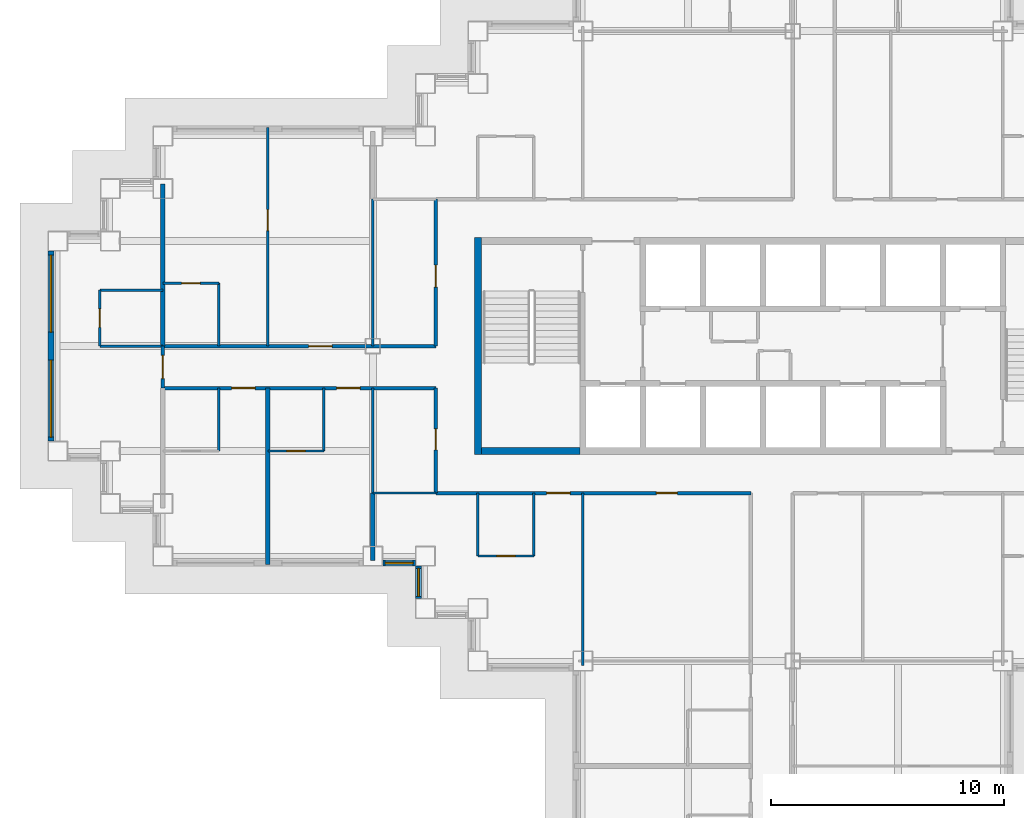
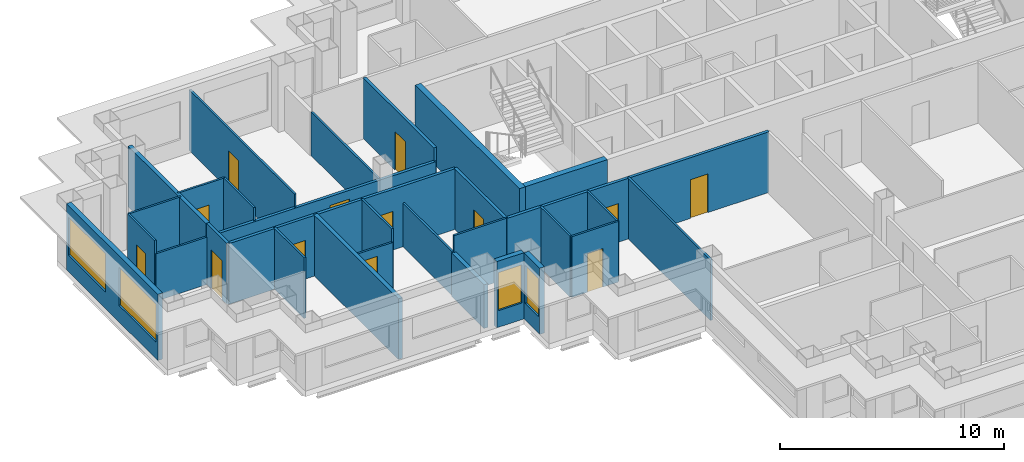
# One storey, part 5 of 16: 30 walls, 13 doors, 4 windows, 17 openings.
"""IFC4 building model written with IfcOpenShell, lengths in metres."""

from ifc_helpers import new_model, si_unit, direction, frame, frame_2d, origin, place, context, subcontext, project, spatial, rectangle, extrude, material, layer, layer_set, type_object, element, fill, save


model = new_model("IFC4")

# Units and contexts
model_context = context("Model", 3, precision=1e-05, world=origin(), true_north=direction((0.0, 1.0)))
body_context = subcontext(model_context, "Body", "Model", "MODEL_VIEW")
ifc_project = project(units=[si_unit("LENGTHUNIT", "METRE"), si_unit("AREAUNIT", "SQUARE_METRE"), si_unit("VOLUMEUNIT", "CUBIC_METRE"), si_unit("PLANEANGLEUNIT", "RADIAN"), si_unit("MASSUNIT", "GRAM", prefix="KILO")], contexts=[model_context])

# Site, building, storey
site_placement = place(None, origin())
site = spatial("IfcSite", under=ifc_project, at=site_placement, CompositionType="ELEMENT")
building_placement = place(site_placement, origin())
building = spatial("IfcBuilding", under=site, at=building_placement, Name="Caravel Reach Hotel and Residences", CompositionType="ELEMENT")
storey_placement = place(building_placement, frame((0.0, 0.0, 133.199951171875)))
storey = spatial("IfcBuildingStorey", under=building, at=storey_placement, Name="L33", CompositionType="ELEMENT", Elevation=133.199951171875)

# Wall, opening, door
ifc_material_1 = material(Name="Gypsum board on steel stud", Category="steel")
ifc_layer_1 = layer(ifc_material_1, 0.10009765625)
ifc_layer_set_1 = layer_set([ifc_layer_1], Name="Bathroom pod wall 100 mm")
wall_type_1 = type_object("IfcWallType", Name="Bathroom pod wall 100 mm", PredefinedType="PARTITIONING", material=ifc_layer_set_1)
wall_1_placement = place(storey_placement, frame((18.0, 18.0, 0.0), z_axis=(0.0, 0.0, 1.0), x_axis=(1.0, 0.0, 0.0)))
wall_1 = element("IfcWall", 1, at=wall_1_placement, inside=storey, type_object=wall_type_1, Name="L33 wall w083", PredefinedType="PARTITIONING", context=body_context, shape_type="SweptSolid", body=[
    extrude(rectangle(XDim=2.39990234375, YDim=0.10009765625, at=frame_2d((1.199951171875, 0.0))), origin(), (0.0, 0.0, 1.0), 3.300048828125),
])
opening_1_placement = place(wall_1_placement, frame((0.800048828125, 0.0, 0.0)))
opening_1 = element("IfcOpeningElement", 2, at=opening_1_placement, cuts=wall_1, Name="Opening D33-053", PredefinedType="OPENING", context=body_context, shape_type="SweptSolid", body=[
    extrude(rectangle(XDim=0.800048828125, YDim=2.10009765625, at=frame_2d((0.39990234375, 1.050048828125))), frame((0.0, 0.06005859375, 0.0), z_axis=(0.0, -1.0, 0.0), x_axis=(1.0, 0.0, 0.0)), (0.0, 0.0, 1.0), 0.1201171875),
])
ifc_material_2 = material(Name="Timber and steel door leaf", Category="steel")
door_type_1 = type_object("IfcDoorType", Name="Bathroom door 800 x 2100", OperationType="SINGLE_SWING_LEFT", PredefinedType="DOOR", material=ifc_material_2)
door_1_placement = place(opening_1_placement, origin())
door_1 = element("IfcDoor", 3, at=door_1_placement, inside=storey, type_object=door_type_1, Name="door D33-053", OperationType="SINGLE_SWING_LEFT", OverallHeight=2.10009765625, OverallWidth=0.800048828125, PredefinedType="DOOR", context=body_context, shape_type="SweptSolid", body=[
    extrude(rectangle(XDim=0.800048828125, YDim=2.10009765625, at=frame_2d((0.39990234375, 1.050048828125))), frame((0.0, 0.02490234375, 0.0), z_axis=(0.0, -1.0, 0.0), x_axis=(1.0, 0.0, 0.0)), (0.0, 0.0, 1.0), 0.050048828125),
])
fill(opening_1, door_1)

wall_2_placement = place(storey_placement, frame((9.0, 22.5, 0.0), z_axis=(0.0, 0.0, 1.0), x_axis=(1.0, 0.0, 0.0)))
wall_2 = element("IfcWall", 4, at=wall_2_placement, inside=storey, type_object=wall_type_1, Name="L33 wall w085", PredefinedType="PARTITIONING", context=body_context, shape_type="SweptSolid", body=[
    extrude(rectangle(XDim=2.39990234375, YDim=0.10009765625, at=frame_2d((1.199951171875, 0.0))), origin(), (0.0, 0.0, 1.0), 2.580078125),
])
opening_2_placement = place(wall_2_placement, frame((0.800048828125, 0.0, 0.0)))
opening_2 = element("IfcOpeningElement", 5, at=opening_2_placement, cuts=wall_2, Name="Opening D33-017", PredefinedType="OPENING", context=body_context, shape_type="SweptSolid", body=[
    extrude(rectangle(XDim=0.800048828125, YDim=2.10009765625, at=frame_2d((0.39990234375, 1.050048828125))), frame((0.0, 0.06005859375, 0.0), z_axis=(0.0, -1.0, 0.0), x_axis=(1.0, 0.0, 0.0)), (0.0, 0.0, 1.0), 0.1201171875),
])
door_2_placement = place(opening_2_placement, origin())
door_2 = element("IfcDoor", 6, at=door_2_placement, inside=storey, type_object=door_type_1, Name="door D33-017", OperationType="SINGLE_SWING_LEFT", OverallHeight=2.10009765625, OverallWidth=0.800048828125, PredefinedType="DOOR", context=body_context, shape_type="SweptSolid", body=[
    extrude(rectangle(XDim=0.800048828125, YDim=2.10009765625, at=frame_2d((0.39990234375, 1.050048828125))), frame((0.0, 0.02490234375, 0.0), z_axis=(0.0, -1.0, 0.0), x_axis=(1.0, 0.0, 0.0)), (0.0, 0.0, 1.0), 0.050048828125),
])
fill(opening_2, door_2)

# Walls
wall_3_placement = place(storey_placement, frame((1.800048828125, 27.0, 0.0), z_axis=(0.0, 0.0, 1.0), x_axis=(1.0, 0.0, 0.0)))
element("IfcWall", 7, at=wall_3_placement, inside=storey, type_object=wall_type_1, Name="L33 wall w088", PredefinedType="PARTITIONING", context=body_context, shape_type="SweptSolid", body=[
    extrude(rectangle(XDim=2.699951171875, YDim=0.10009765625, at=frame_2d((1.35009765625, 0.0))), origin(), (0.0, 0.0, 1.0), 2.580078125),
])
wall_4_placement = place(storey_placement, frame((1.800048828125, 29.39990234375, 0.0), z_axis=(0.0, 0.0, 1.0), x_axis=(1.0, 0.0, 0.0)))
element("IfcWall", 8, at=wall_4_placement, inside=storey, type_object=wall_type_1, Name="L33 wall w089", PredefinedType="PARTITIONING", context=body_context, shape_type="SweptSolid", body=[
    extrude(rectangle(XDim=2.699951171875, YDim=0.10009765625, at=frame_2d((1.35009765625, 0.0))), origin(), (0.0, 0.0, 1.0), 3.300048828125),
])

# Wall, opening, door
wall_5_placement = place(storey_placement, frame((4.5, 29.699951171875, 0.0), z_axis=(0.0, 0.0, 1.0), x_axis=(1.0, 0.0, 0.0)))
wall_5 = element("IfcWall", 9, at=wall_5_placement, inside=storey, type_object=wall_type_1, Name="L33 wall w090", PredefinedType="PARTITIONING", context=body_context, shape_type="SweptSolid", body=[
    extrude(rectangle(XDim=2.39990234375, YDim=0.10009765625, at=frame_2d((1.199951171875, 0.0))), origin(), (0.0, 0.0, 1.0), 3.300048828125),
])
opening_3_placement = place(wall_5_placement, frame((0.800048828125, 0.0, 0.0)))
opening_3 = element("IfcOpeningElement", 10, at=opening_3_placement, cuts=wall_5, Name="Opening D33-022", PredefinedType="OPENING", context=body_context, shape_type="SweptSolid", body=[
    extrude(rectangle(XDim=0.800048828125, YDim=2.10009765625, at=frame_2d((0.39990234375, 1.050048828125))), frame((0.0, 0.06005859375, 0.0), z_axis=(0.0, -1.0, 0.0), x_axis=(1.0, 0.0, 0.0)), (0.0, 0.0, 1.0), 0.1201171875),
])
door_3_placement = place(opening_3_placement, origin())
door_3 = element("IfcDoor", 11, at=door_3_placement, inside=storey, type_object=door_type_1, Name="door D33-022", OperationType="SINGLE_SWING_LEFT", OverallHeight=2.10009765625, OverallWidth=0.800048828125, PredefinedType="DOOR", context=body_context, shape_type="SweptSolid", body=[
    extrude(rectangle(XDim=0.800048828125, YDim=2.10009765625, at=frame_2d((0.39990234375, 1.050048828125))), frame((0.0, 0.02490234375, 0.0), z_axis=(0.0, -1.0, 0.0), x_axis=(1.0, 0.0, 0.0)), (0.0, 0.0, 1.0), 0.050048828125),
])
fill(opening_3, door_3)

wall_6_placement = place(storey_placement, frame((1.800048828125, 27.0, 0.0), z_axis=(0.0, 0.0, 1.0), x_axis=(0.0, 1.0, 0.0)))
wall_6 = element("IfcWall", 12, at=wall_6_placement, inside=storey, type_object=wall_type_1, Name="L33 wall w100", PredefinedType="PARTITIONING", context=body_context, shape_type="SweptSolid", body=[
    extrude(rectangle(XDim=2.39990234375, YDim=0.10009765625, at=frame_2d((1.199951171875, 0.0))), origin(), (0.0, 0.0, 1.0), 3.300048828125),
])
opening_4_placement = place(wall_6_placement, frame((0.800048828125, 0.0, 0.0)))
opening_4 = element("IfcOpeningElement", 13, at=opening_4_placement, cuts=wall_6, Name="Opening D33-043", PredefinedType="OPENING", context=body_context, shape_type="SweptSolid", body=[
    extrude(rectangle(XDim=0.800048828125, YDim=2.10009765625, at=frame_2d((0.39990234375, 1.050048828125))), frame((0.0, 0.06005859375, 0.0), z_axis=(0.0, -1.0, 0.0), x_axis=(1.0, 0.0, 0.0)), (0.0, 0.0, 1.0), 0.1201171875),
])
door_4_placement = place(opening_4_placement, origin())
door_4 = element("IfcDoor", 14, at=door_4_placement, inside=storey, type_object=door_type_1, Name="door D33-043", OperationType="SINGLE_SWING_RIGHT", OverallHeight=2.10009765625, OverallWidth=0.800048828125, PredefinedType="DOOR", context=body_context, shape_type="SweptSolid", body=[
    extrude(rectangle(XDim=0.800048828125, YDim=2.10009765625, at=frame_2d((0.39990234375, 1.050048828125))), frame((0.0, 0.02490234375, 0.0), z_axis=(0.0, -1.0, 0.0), x_axis=(1.0, 0.0, 0.0)), (0.0, 0.0, 1.0), 0.050048828125),
])
fill(opening_4, door_4)

# Walls
for number, where, z_axis, x_axis, name in (
    (15, (11.39990234375, 22.5, 0.0), (0.0, 0.0, 1.0), (0.0, 1.0, 0.0), "L33 wall w101"),
    (16, (18.0, 18.0, 0.0), (0.0, 0.0, 1.0), (0.0, 1.0, 0.0), "L33 wall w103"),
    (17, (20.39990234375, 18.0, 0.0), (0.0, 0.0, 1.0), (0.0, 1.0, 0.0), "L33 wall w105"),
    (18, (6.89990234375, 22.5, 0.0), (0.0, 0.0, 1.0), (0.0, 1.0, 0.0), "L33 wall w119"),
    (19, (6.89990234375, 27.0, 0.0), (0.0, 0.0, 1.0), (0.0, 1.0, 0.0), "L33 wall w120"),
):
    element("IfcWall", number, at=place(storey_placement, frame(where, z_axis=z_axis, x_axis=x_axis)), inside=storey, type_object=wall_type_1, Name=name, PredefinedType="PARTITIONING", context=body_context, shape_type="SweptSolid", body=[
        extrude(rectangle(XDim=2.699951171875, YDim=0.10009765625, at=frame_2d((1.35009765625, 0.0))), origin(), (0.0, 0.0, 1.0), 3.300048828125),
    ])
ifc_material_3 = material(Name="Concrete C60", Category="concrete")
ifc_layer_2 = layer(ifc_material_3, 0.300048828125)
ifc_layer_set_2 = layer_set([ifc_layer_2], Name="Core wall 300 mm EI 120")
wall_type_2 = type_object("IfcWallType", Name="Core wall 300 mm EI 120", PredefinedType="SHEAR", material=ifc_layer_set_2)
wall_7_placement = place(storey_placement, frame((18.14990234375, 22.5, 0.0), z_axis=(0.0, 0.0, 1.0), x_axis=(1.0, 0.0, 0.0)))
element("IfcWall", 20, at=wall_7_placement, inside=storey, type_object=wall_type_2, Name="L33 core wall S1", PredefinedType="SHEAR", context=body_context, shape_type="SweptSolid", body=[
    extrude(rectangle(XDim=4.22509765625, YDim=0.300048828125, at=frame_2d((2.112548828125, 0.0))), origin(), (0.0, 0.0, 1.0), 3.300048828125),
])
wall_8_placement = place(storey_placement, frame((18.0, 22.35009765625, 0.0), z_axis=(0.0, 0.0, 1.0), x_axis=(0.0, 1.0, 0.0)))
element("IfcWall", 21, at=wall_8_placement, inside=storey, type_object=wall_type_2, Name="L33 core wall W", PredefinedType="SHEAR", context=body_context, shape_type="SweptSolid", body=[
    extrude(rectangle(XDim=9.2998046875, YDim=0.300048828125, at=frame_2d((4.64990234375, 0.0))), origin(), (0.0, 0.0, 1.0), 3.300048828125),
])

# Wall, openings, doors
ifc_material_4 = material(Name="Gypsum board on steel stud, fire-rated", Category="steel")
ifc_layer_3 = layer(ifc_material_4, 0.14990234375)
ifc_layer_set_3 = layer_set([ifc_layer_3], Name="Corridor wall 150 mm EI 60")
wall_type_3 = type_object("IfcWallType", Name="Corridor wall 150 mm EI 60", PredefinedType="PARTITIONING", material=ifc_layer_set_3)
wall_9_placement = place(storey_placement, frame((16.199951171875, 20.699951171875, 0.0), z_axis=(0.0, 0.0, 1.0), x_axis=(1.0, 0.0, 0.0)))
wall_9 = element("IfcWall", 22, at=wall_9_placement, inside=storey, type_object=wall_type_3, Name="L33 wall w001", PredefinedType="PARTITIONING", context=body_context, shape_type="SweptSolid", body=[
    extrude(rectangle(XDim=13.5, YDim=0.14990234375, at=frame_2d((6.75, 0.0))), origin(), (0.0, 0.0, 1.0), 3.300048828125),
])
opening_5_placement = place(wall_9_placement, frame((4.75, 0.0, 0.0)))
opening_5 = element("IfcOpeningElement", 23, at=opening_5_placement, cuts=wall_9, Name="Opening D33-052", PredefinedType="OPENING", context=body_context, shape_type="SweptSolid", body=[
    extrude(rectangle(XDim=1.0, YDim=2.10009765625, at=frame_2d((0.5, 1.050048828125))), frame((0.0, 0.0849609375, 0.0), z_axis=(0.0, -1.0, 0.0), x_axis=(1.0, 0.0, 0.0)), (0.0, 0.0, 1.0), 0.169921875),
])
opening_6_placement = place(wall_9_placement, frame((9.449951171875, 0.0, 0.0)))
opening_6 = element("IfcOpeningElement", 24, at=opening_6_placement, cuts=wall_9, Name="Opening D33-060", PredefinedType="OPENING", context=body_context, shape_type="SweptSolid", body=[
    extrude(rectangle(XDim=0.89990234375, YDim=2.10009765625, at=frame_2d((0.449951171875, 1.050048828125))), frame((0.0, 0.0849609375, 0.0), z_axis=(0.0, -1.0, 0.0), x_axis=(1.0, 0.0, 0.0)), (0.0, 0.0, 1.0), 0.169921875),
])
ifc_material_5 = material(Name="Timber and steel door leaf", Category="steel")
door_type_2 = type_object("IfcDoorType", Name="Door 900 x 2100 timber", OperationType="SINGLE_SWING_LEFT", PredefinedType="DOOR", material=ifc_material_5)
door_5_placement = place(opening_6_placement, origin())
door_5 = element("IfcDoor", 25, at=door_5_placement, inside=storey, type_object=door_type_2, Name="door D33-060", OperationType="SINGLE_SWING_LEFT", OverallHeight=2.10009765625, OverallWidth=0.89990234375, PredefinedType="DOOR", context=body_context, shape_type="SweptSolid", body=[
    extrude(rectangle(XDim=0.89990234375, YDim=2.10009765625, at=frame_2d((0.449951171875, 1.050048828125))), frame((0.0, 0.02490234375, 0.0), z_axis=(0.0, -1.0, 0.0), x_axis=(1.0, 0.0, 0.0)), (0.0, 0.0, 1.0), 0.050048828125),
])
fill(opening_6, door_5)
ifc_material_6 = material(Name="Steel fire door leaf", Category="steel")
door_type_3 = type_object("IfcDoorType", Name="Guest room door 1000 x 2100 EI 30", OperationType="SINGLE_SWING_LEFT", PredefinedType="DOOR", material=ifc_material_6)
door_6_placement = place(opening_5_placement, origin())
door_6 = element("IfcDoor", 26, at=door_6_placement, inside=storey, type_object=door_type_3, Name="door D33-052", OperationType="SINGLE_SWING_RIGHT", OverallHeight=2.10009765625, OverallWidth=1.0, PredefinedType="DOOR", context=body_context, shape_type="SweptSolid", body=[
    extrude(rectangle(XDim=1.0, YDim=2.10009765625, at=frame_2d((0.5, 1.050048828125))), frame((0.0, 0.02490234375, 0.0), z_axis=(0.0, -1.0, 0.0), x_axis=(1.0, 0.0, 0.0)), (0.0, 0.0, 1.0), 0.050048828125),
])
fill(opening_5, door_6)

wall_10_placement = place(storey_placement, frame((4.5, 25.199951171875, 0.0), z_axis=(0.0, 0.0, 1.0), x_axis=(1.0, 0.0, 0.0)))
wall_10 = element("IfcWall", 27, at=wall_10_placement, inside=storey, type_object=wall_type_3, Name="L33 wall w008", PredefinedType="PARTITIONING", context=body_context, shape_type="SweptSolid", body=[
    extrude(rectangle(XDim=11.699951171875, YDim=0.14990234375, at=frame_2d((5.85009765625, 0.0))), origin(), (0.0, 0.0, 1.0), 3.300048828125),
])
opening_7_placement = place(wall_10_placement, frame((7.449951171875, 0.0, 0.0)))
opening_7 = element("IfcOpeningElement", 28, at=opening_7_placement, cuts=wall_10, Name="Opening D33-016", PredefinedType="OPENING", context=body_context, shape_type="SweptSolid", body=[
    extrude(rectangle(XDim=1.0, YDim=2.10009765625, at=frame_2d((0.5, 1.050048828125))), frame((0.0, 0.0849609375, 0.0), z_axis=(0.0, -1.0, 0.0), x_axis=(1.0, 0.0, 0.0)), (0.0, 0.0, 1.0), 0.169921875),
])
opening_8_placement = place(wall_10_placement, frame((2.949951171875, 0.0, 0.0)))
opening_8 = element("IfcOpeningElement", 29, at=opening_8_placement, cuts=wall_10, Name="Opening D33-018", PredefinedType="OPENING", context=body_context, shape_type="SweptSolid", body=[
    extrude(rectangle(XDim=1.0, YDim=2.10009765625, at=frame_2d((0.5, 1.050048828125))), frame((0.0, 0.0849609375, 0.0), z_axis=(0.0, -1.0, 0.0), x_axis=(1.0, 0.0, 0.0)), (0.0, 0.0, 1.0), 0.169921875),
])
door_7_placement = place(opening_7_placement, origin())
door_7 = element("IfcDoor", 30, at=door_7_placement, inside=storey, type_object=door_type_3, Name="door D33-016", OperationType="SINGLE_SWING_RIGHT", OverallHeight=2.10009765625, OverallWidth=1.0, PredefinedType="DOOR", context=body_context, shape_type="SweptSolid", body=[
    extrude(rectangle(XDim=1.0, YDim=2.10009765625, at=frame_2d((0.5, 1.050048828125))), frame((0.0, 0.02490234375, 0.0), z_axis=(0.0, -1.0, 0.0), x_axis=(1.0, 0.0, 0.0)), (0.0, 0.0, 1.0), 0.050048828125),
])
fill(opening_7, door_7)
door_8_placement = place(opening_8_placement, origin())
door_8 = element("IfcDoor", 31, at=door_8_placement, inside=storey, type_object=door_type_3, Name="door D33-018", OperationType="SINGLE_SWING_RIGHT", OverallHeight=2.10009765625, OverallWidth=1.0, PredefinedType="DOOR", context=body_context, shape_type="SweptSolid", body=[
    extrude(rectangle(XDim=1.0, YDim=2.10009765625, at=frame_2d((0.5, 1.050048828125))), frame((0.0, 0.02490234375, 0.0), z_axis=(0.0, -1.0, 0.0), x_axis=(1.0, 0.0, 0.0)), (0.0, 0.0, 1.0), 0.050048828125),
])
fill(opening_8, door_8)

# Wall, opening, door
wall_11_placement = place(storey_placement, frame((4.5, 27.0, 0.0), z_axis=(0.0, 0.0, 1.0), x_axis=(1.0, 0.0, 0.0)))
wall_11 = element("IfcWall", 32, at=wall_11_placement, inside=storey, type_object=wall_type_3, Name="L33 wall w013", PredefinedType="PARTITIONING", context=body_context, shape_type="SweptSolid", body=[
    extrude(rectangle(XDim=11.699951171875, YDim=0.14990234375, at=frame_2d((5.85009765625, 0.0))), origin(), (0.0, 0.0, 1.0), 2.580078125),
])
opening_9_placement = place(wall_11_placement, frame((6.25, 0.0, 0.0)))
opening_9 = element("IfcOpeningElement", 33, at=opening_9_placement, cuts=wall_11, Name="Opening D33-020", PredefinedType="OPENING", context=body_context, shape_type="SweptSolid", body=[
    extrude(rectangle(XDim=1.0, YDim=2.10009765625, at=frame_2d((0.5, 1.050048828125))), frame((0.0, 0.0849609375, 0.0), z_axis=(0.0, -1.0, 0.0), x_axis=(1.0, 0.0, 0.0)), (0.0, 0.0, 1.0), 0.169921875),
])
door_9_placement = place(opening_9_placement, origin())
door_9 = element("IfcDoor", 34, at=door_9_placement, inside=storey, type_object=door_type_3, Name="door D33-020", OperationType="SINGLE_SWING_LEFT", OverallHeight=2.10009765625, OverallWidth=1.0, PredefinedType="DOOR", context=body_context, shape_type="SweptSolid", body=[
    extrude(rectangle(XDim=1.0, YDim=2.10009765625, at=frame_2d((0.5, 1.050048828125))), frame((0.0, 0.02490234375, 0.0), z_axis=(0.0, -1.0, 0.0), x_axis=(1.0, 0.0, 0.0)), (0.0, 0.0, 1.0), 0.050048828125),
])
fill(opening_9, door_9)

wall_12_placement = place(storey_placement, frame((16.199951171875, 27.0, 0.0), z_axis=(0.0, 0.0, 1.0), x_axis=(0.0, 1.0, 0.0)))
wall_12 = element("IfcWall", 35, at=wall_12_placement, inside=storey, type_object=wall_type_3, Name="L33 wall w024", PredefinedType="PARTITIONING", context=body_context, shape_type="SweptSolid", body=[
    extrude(rectangle(XDim=6.300048828125, YDim=0.14990234375, at=frame_2d((3.14990234375, 0.0))), origin(), (0.0, 0.0, 1.0), 3.300048828125),
])
opening_10_placement = place(wall_12_placement, frame((2.52490234375, 0.0, 0.0)))
opening_10 = element("IfcOpeningElement", 36, at=opening_10_placement, cuts=wall_12, Name="Opening D33-064", PredefinedType="OPENING", context=body_context, shape_type="SweptSolid", body=[
    extrude(rectangle(XDim=0.949951171875, YDim=2.10009765625, at=frame_2d((0.47509765625, 1.050048828125))), frame((0.0, 0.0849609375, 0.0), z_axis=(0.0, -1.0, 0.0), x_axis=(1.0, 0.0, 0.0)), (0.0, 0.0, 1.0), 0.169921875),
])
ifc_material_7 = material(Name="Timber and steel door leaf", Category="steel")
door_type_4 = type_object("IfcDoorType", Name="Accessible WC door 950 x 2100", OperationType="SINGLE_SWING_LEFT", PredefinedType="DOOR", material=ifc_material_7)
door_10_placement = place(opening_10_placement, origin())
door_10 = element("IfcDoor", 37, at=door_10_placement, inside=storey, type_object=door_type_4, Name="door D33-064", OperationType="SINGLE_SWING_LEFT", OverallHeight=2.10009765625, OverallWidth=0.949951171875, PredefinedType="DOOR", context=body_context, shape_type="SweptSolid", body=[
    extrude(rectangle(XDim=0.949951171875, YDim=2.10009765625, at=frame_2d((0.47509765625, 1.050048828125))), frame((0.0, 0.02490234375, 0.0), z_axis=(0.0, -1.0, 0.0), x_axis=(1.0, 0.0, 0.0)), (0.0, 0.0, 1.0), 0.050048828125),
])
fill(opening_10, door_10)

wall_13_placement = place(storey_placement, frame((16.199951171875, 20.699951171875, 0.0), z_axis=(0.0, 0.0, 1.0), x_axis=(0.0, 1.0, 0.0)))
wall_13 = element("IfcWall", 38, at=wall_13_placement, inside=storey, type_object=wall_type_3, Name="L33 wall w025", PredefinedType="PARTITIONING", context=body_context, shape_type="SweptSolid", body=[
    extrude(rectangle(XDim=4.5, YDim=0.14990234375, at=frame_2d((2.25, 0.0))), origin(), (0.0, 0.0, 1.0), 3.300048828125),
])
opening_11_placement = place(wall_13_placement, frame((1.85009765625, 0.0, 0.0)))
opening_11 = element("IfcOpeningElement", 39, at=opening_11_placement, cuts=wall_13, Name="Opening D33-063", PredefinedType="OPENING", context=body_context, shape_type="SweptSolid", body=[
    extrude(rectangle(XDim=0.89990234375, YDim=2.10009765625, at=frame_2d((0.449951171875, 1.050048828125))), frame((0.0, 0.0849609375, 0.0), z_axis=(0.0, -1.0, 0.0), x_axis=(1.0, 0.0, 0.0)), (0.0, 0.0, 1.0), 0.169921875),
])
door_11_placement = place(opening_11_placement, origin())
door_11 = element("IfcDoor", 40, at=door_11_placement, inside=storey, type_object=door_type_2, Name="door D33-063", OperationType="SINGLE_SWING_RIGHT", OverallHeight=2.10009765625, OverallWidth=0.89990234375, PredefinedType="DOOR", context=body_context, shape_type="SweptSolid", body=[
    extrude(rectangle(XDim=0.89990234375, YDim=2.10009765625, at=frame_2d((0.449951171875, 1.050048828125))), frame((0.0, 0.02490234375, 0.0), z_axis=(0.0, -1.0, 0.0), x_axis=(1.0, 0.0, 0.0)), (0.0, 0.0, 1.0), 0.050048828125),
])
fill(opening_11, door_11)

wall_14_placement = place(storey_placement, frame((4.5, 25.199951171875, 0.0), z_axis=(0.0, 0.0, 1.0), x_axis=(0.0, 1.0, 0.0)))
wall_14 = element("IfcWall", 41, at=wall_14_placement, inside=storey, type_object=wall_type_3, Name="L33 wall w038", PredefinedType="PARTITIONING", context=body_context, shape_type="SweptSolid", body=[
    extrude(rectangle(XDim=1.800048828125, YDim=0.14990234375, at=frame_2d((0.89990234375, 0.0))), origin(), (0.0, 0.0, 1.0), 3.300048828125),
])
opening_12_placement = place(wall_14_placement, frame((0.39990234375, 0.0, 0.0)))
opening_12 = element("IfcOpeningElement", 42, at=opening_12_placement, cuts=wall_14, Name="Opening D33-042", PredefinedType="OPENING", context=body_context, shape_type="SweptSolid", body=[
    extrude(rectangle(XDim=1.0, YDim=2.10009765625, at=frame_2d((0.5, 1.050048828125))), frame((0.0, 0.0849609375, 0.0), z_axis=(0.0, -1.0, 0.0), x_axis=(1.0, 0.0, 0.0)), (0.0, 0.0, 1.0), 0.169921875),
])
door_12_placement = place(opening_12_placement, origin())
door_12 = element("IfcDoor", 43, at=door_12_placement, inside=storey, type_object=door_type_3, Name="door D33-042", OperationType="SINGLE_SWING_LEFT", OverallHeight=2.10009765625, OverallWidth=1.0, PredefinedType="DOOR", context=body_context, shape_type="SweptSolid", body=[
    extrude(rectangle(XDim=1.0, YDim=2.10009765625, at=frame_2d((0.5, 1.050048828125))), frame((0.0, 0.02490234375, 0.0), z_axis=(0.0, -1.0, 0.0), x_axis=(1.0, 0.0, 0.0)), (0.0, 0.0, 1.0), 0.050048828125),
])
fill(opening_12, door_12)

# Wall, openings, windows
ifc_material_8 = material(Name="Insulated rainscreen wall, aluminium cladding", Category="aluminium")
ifc_layer_4 = layer(ifc_material_8, 0.25)
ifc_layer_set_4 = layer_set([ifc_layer_4], Name="EW1 Tower rainscreen wall")
wall_type_4 = type_object("IfcWallType", Name="EW1 Tower rainscreen wall", PredefinedType="SOLIDWALL", material=ifc_layer_set_4)
wall_15_placement = place(storey_placement, frame((-0.300048828125, 31.074951171875, 0.0), z_axis=(0.0, 0.0, 1.0), x_axis=(0.0, -1.0, 0.0)))
wall_15 = element("IfcWall", 44, at=wall_15_placement, inside=storey, type_object=wall_type_4, Name="External wall L33 W50.1", PredefinedType="SOLIDWALL", context=body_context, shape_type="SweptSolid", body=[
    extrude(rectangle(XDim=8.14990234375, YDim=0.25, at=frame_2d((4.074951171875, 0.0))), origin(), (0.0, 0.0, 1.0), 3.60009765625),
])
opening_13_placement = place(wall_15_placement, frame((0.175048828125, 0.0, 0.89990234375)))
opening_13 = element("IfcOpeningElement", 45, at=opening_13_placement, cuts=wall_15, Name="Opening WN4", PredefinedType="OPENING", context=body_context, shape_type="SweptSolid", body=[
    extrude(rectangle(XDim=3.300048828125, YDim=2.080078125, at=frame_2d((1.64990234375, 1.0400390625))), frame((0.0, 0.135009765625, 0.0), z_axis=(0.0, -1.0, 0.0), x_axis=(1.0, 0.0, 0.0)), (0.0, 0.0, 1.0), 0.27001953125),
])
opening_14_placement = place(wall_15_placement, frame((4.675048828125, 0.0, 0.89990234375)))
opening_14 = element("IfcOpeningElement", 46, at=opening_14_placement, cuts=wall_15, Name="Opening WN4", PredefinedType="OPENING", context=body_context, shape_type="SweptSolid", body=[
    extrude(rectangle(XDim=3.300048828125, YDim=2.080078125, at=frame_2d((1.64990234375, 1.0400390625))), frame((0.0, 0.135009765625, 0.0), z_axis=(0.0, -1.0, 0.0), x_axis=(1.0, 0.0, 0.0)), (0.0, 0.0, 1.0), 0.27001953125),
])
ifc_material_9 = material(Name="Dark low-e glazing in black aluminium frame", Category="aluminium")
window_type_1 = type_object("IfcWindowType", Name="Hotel guest room window 3300 x 2080", PartitioningType="SINGLE_PANEL", PredefinedType="WINDOW", material=ifc_material_9)
window_1_placement = place(opening_13_placement, origin())
window_1 = element("IfcWindow", 47, at=window_1_placement, inside=storey, type_object=window_type_1, Name="Window L33 W50.1.1", OverallHeight=2.080078125, OverallWidth=3.300048828125, PartitioningType="SINGLE_PANEL", PredefinedType="WINDOW", context=body_context, shape_type="SweptSolid", body=[
    extrude(rectangle(XDim=3.300048828125, YDim=2.080078125, at=frame_2d((1.64990234375, 1.0400390625))), frame((0.0, 0.030029296875, 0.0), z_axis=(0.0, -1.0, 0.0), x_axis=(1.0, 0.0, 0.0)), (0.0, 0.0, 1.0), 0.06005859375),
])
fill(opening_13, window_1)
window_2_placement = place(opening_14_placement, origin())
window_2 = element("IfcWindow", 48, at=window_2_placement, inside=storey, type_object=window_type_1, Name="Window L33 W50.1.2", OverallHeight=2.080078125, OverallWidth=3.300048828125, PartitioningType="SINGLE_PANEL", PredefinedType="WINDOW", context=body_context, shape_type="SweptSolid", body=[
    extrude(rectangle(XDim=3.300048828125, YDim=2.080078125, at=frame_2d((1.64990234375, 1.0400390625))), frame((0.0, 0.030029296875, 0.0), z_axis=(0.0, -1.0, 0.0), x_axis=(1.0, 0.0, 0.0)), (0.0, 0.0, 1.0), 0.06005859375),
])
fill(opening_14, window_2)

# Wall, opening, window
wall_16_placement = place(storey_placement, frame((13.925048828125, 17.699951171875, 0.0), z_axis=(0.0, 0.0, 1.0), x_axis=(1.0, 0.0, 0.0)))
wall_16 = element("IfcWall", 49, at=wall_16_placement, inside=storey, type_object=wall_type_4, Name="External wall L33 S55.2", PredefinedType="SOLIDWALL", context=body_context, shape_type="SweptSolid", body=[
    extrude(rectangle(XDim=1.39990234375, YDim=0.25, at=frame_2d((0.699951171875, 0.0))), origin(), (0.0, 0.0, 1.0), 3.60009765625),
])
opening_15_placement = place(wall_16_placement, frame((0.10009765625, 0.0, 0.89990234375)))
opening_15 = element("IfcOpeningElement", 50, at=opening_15_placement, cuts=wall_16, Name="Opening WN9", PredefinedType="OPENING", context=body_context, shape_type="SweptSolid", body=[
    extrude(rectangle(XDim=1.199951171875, YDim=2.080078125, at=frame_2d((0.60009765625, 1.0400390625))), frame((0.0, 0.135009765625, 0.0), z_axis=(0.0, -1.0, 0.0), x_axis=(1.0, 0.0, 0.0)), (0.0, 0.0, 1.0), 0.27001953125),
])
ifc_material_10 = material(Name="Dark low-e glazing in black aluminium frame", Category="aluminium")
window_type_2 = type_object("IfcWindowType", Name="Hotel suite corner window 1200 x 2080", PartitioningType="SINGLE_PANEL", PredefinedType="WINDOW", material=ifc_material_10)
window_3_placement = place(opening_15_placement, origin())
window_3 = element("IfcWindow", 51, at=window_3_placement, inside=storey, type_object=window_type_2, Name="Window L33 S55.2.1", OverallHeight=2.080078125, OverallWidth=1.199951171875, PartitioningType="SINGLE_PANEL", PredefinedType="WINDOW", context=body_context, shape_type="SweptSolid", body=[
    extrude(rectangle(XDim=1.199951171875, YDim=2.080078125, at=frame_2d((0.60009765625, 1.0400390625))), frame((0.0, 0.030029296875, 0.0), z_axis=(0.0, -1.0, 0.0), x_axis=(1.0, 0.0, 0.0)), (0.0, 0.0, 1.0), 0.06005859375),
])
fill(opening_15, window_3)

wall_17_placement = place(storey_placement, frame((15.449951171875, 17.574951171875, 0.0), z_axis=(0.0, 0.0, 1.0), x_axis=(0.0, -1.0, 0.0)))
wall_17 = element("IfcWall", 52, at=wall_17_placement, inside=storey, type_object=wall_type_4, Name="External wall L33 W56.1", PredefinedType="SOLIDWALL", context=body_context, shape_type="SweptSolid", body=[
    extrude(rectangle(XDim=1.39990234375, YDim=0.25, at=frame_2d((0.699951171875, 0.0))), origin(), (0.0, 0.0, 1.0), 3.60009765625),
])
opening_16_placement = place(wall_17_placement, frame((0.10009765625, 0.0, 0.89990234375)))
opening_16 = element("IfcOpeningElement", 53, at=opening_16_placement, cuts=wall_17, Name="Opening WN9", PredefinedType="OPENING", context=body_context, shape_type="SweptSolid", body=[
    extrude(rectangle(XDim=1.199951171875, YDim=2.080078125, at=frame_2d((0.60009765625, 1.0400390625))), frame((0.0, 0.135009765625, 0.0), z_axis=(0.0, -1.0, 0.0), x_axis=(1.0, 0.0, 0.0)), (0.0, 0.0, 1.0), 0.27001953125),
])
window_4_placement = place(opening_16_placement, origin())
window_4 = element("IfcWindow", 54, at=window_4_placement, inside=storey, type_object=window_type_2, Name="Window L33 W56.1.1", OverallHeight=2.080078125, OverallWidth=1.199951171875, PartitioningType="SINGLE_PANEL", PredefinedType="WINDOW", context=body_context, shape_type="SweptSolid", body=[
    extrude(rectangle(XDim=1.199951171875, YDim=2.080078125, at=frame_2d((0.60009765625, 1.0400390625))), frame((0.0, 0.030029296875, 0.0), z_axis=(0.0, -1.0, 0.0), x_axis=(1.0, 0.0, 0.0)), (0.0, 0.0, 1.0), 0.06005859375),
])
fill(opening_16, window_4)

# Walls
ifc_material_11 = material(Name="Gypsum board on steel stud", Category="steel")
ifc_layer_5 = layer(ifc_material_11, 0.10009765625)
ifc_layer_set_5 = layer_set([ifc_layer_5], Name="Partition 100 mm")
wall_type_5 = type_object("IfcWallType", Name="Partition 100 mm", PredefinedType="PARTITIONING", material=ifc_layer_set_5)
wall_18_placement = place(storey_placement, frame((13.5, 20.699951171875, 0.0), z_axis=(0.0, 0.0, 1.0), x_axis=(1.0, 0.0, 0.0)))
element("IfcWall", 55, at=wall_18_placement, inside=storey, type_object=wall_type_5, Name="L33 wall w045", PredefinedType="PARTITIONING", context=body_context, shape_type="SweptSolid", body=[
    extrude(rectangle(XDim=2.699951171875, YDim=0.10009765625, at=frame_2d((1.35009765625, 0.0))), origin(), (0.0, 0.0, 1.0), 3.300048828125),
])
wall_19_placement = place(storey_placement, frame((13.5, 20.699951171875, 0.0), z_axis=(0.0, 0.0, 1.0), x_axis=(0.0, 1.0, 0.0)))
element("IfcWall", 56, at=wall_19_placement, inside=storey, type_object=wall_type_5, Name="L33 wall w055", PredefinedType="PARTITIONING", context=body_context, shape_type="SweptSolid", body=[
    extrude(rectangle(XDim=4.5, YDim=0.10009765625, at=frame_2d((2.25, 0.0))), origin(), (0.0, 0.0, 1.0), 2.380126953125),
])
wall_20_placement = place(storey_placement, frame((13.5, 27.0, 0.0), z_axis=(0.0, 0.0, 1.0), x_axis=(0.0, 1.0, 0.0)))
element("IfcWall", 57, at=wall_20_placement, inside=storey, type_object=wall_type_5, Name="L33 wall w056", PredefinedType="PARTITIONING", context=body_context, shape_type="SweptSolid", body=[
    extrude(rectangle(XDim=6.300048828125, YDim=0.10009765625, at=frame_2d((3.14990234375, 0.0))), origin(), (0.0, 0.0, 1.0), 2.380126953125),
])
wall_21_placement = place(storey_placement, frame((22.5, 13.31005859375, 0.0), z_axis=(0.0, 0.0, 1.0), x_axis=(0.0, 1.0, 0.0)))
element("IfcWall", 58, at=wall_21_placement, inside=storey, type_object=wall_type_5, Name="L33 wall w058", PredefinedType="PARTITIONING", context=body_context, shape_type="SweptSolid", body=[
    extrude(rectangle(XDim=7.389892578125, YDim=0.10009765625, at=frame_2d((3.69482421875, 0.0))), origin(), (0.0, 0.0, 1.0), 3.300048828125),
])

# Wall, opening, door
wall_22_placement = place(storey_placement, frame((9.0, 27.0, 0.0), z_axis=(0.0, 0.0, 1.0), x_axis=(0.0, 1.0, 0.0)))
wall_22 = element("IfcWall", 59, at=wall_22_placement, inside=storey, type_object=wall_type_5, Name="L33 wall w069", PredefinedType="PARTITIONING", context=body_context, shape_type="SweptSolid", body=[
    extrude(rectangle(XDim=9.364990234375, YDim=0.10009765625, at=frame_2d((4.6826171875, 0.0))), origin(), (0.0, 0.0, 1.0), 3.300048828125),
])
opening_17_placement = place(wall_22_placement, frame((4.949951171875, 0.0, 0.0)))
opening_17 = element("IfcOpeningElement", 60, at=opening_17_placement, cuts=wall_22, Name="Opening D33-021", PredefinedType="OPENING", context=body_context, shape_type="SweptSolid", body=[
    extrude(rectangle(XDim=0.89990234375, YDim=2.10009765625, at=frame_2d((0.449951171875, 1.050048828125))), frame((0.0, 0.06005859375, 0.0), z_axis=(0.0, -1.0, 0.0), x_axis=(1.0, 0.0, 0.0)), (0.0, 0.0, 1.0), 0.1201171875),
])
door_13_placement = place(opening_17_placement, origin())
door_13 = element("IfcDoor", 61, at=door_13_placement, inside=storey, type_object=door_type_2, Name="door D33-021", OperationType="SINGLE_SWING_RIGHT", OverallHeight=2.10009765625, OverallWidth=0.89990234375, PredefinedType="DOOR", context=body_context, shape_type="SweptSolid", body=[
    extrude(rectangle(XDim=0.89990234375, YDim=2.10009765625, at=frame_2d((0.449951171875, 1.050048828125))), frame((0.0, 0.02490234375, 0.0), z_axis=(0.0, -1.0, 0.0), x_axis=(1.0, 0.0, 0.0)), (0.0, 0.0, 1.0), 0.050048828125),
])
fill(opening_17, door_13)

# Walls
ifc_material_12 = material(Name="Autoclaved aerated block wall")
ifc_layer_6 = layer(ifc_material_12, 0.199951171875)
ifc_layer_set_6 = layer_set([ifc_layer_6], Name="Party wall 200 mm EI 60")
wall_type_6 = type_object("IfcWallType", Name="Party wall 200 mm EI 60", PredefinedType="PARTITIONING", material=ifc_layer_set_6)
wall_23_placement = place(storey_placement, frame((13.5, 17.81005859375, 0.0), z_axis=(0.0, 0.0, 1.0), x_axis=(0.0, 1.0, 0.0)))
element("IfcWall", 62, at=wall_23_placement, inside=storey, type_object=wall_type_6, Name="L33 wall w075", PredefinedType="PARTITIONING", context=body_context, shape_type="SweptSolid", body=[
    extrude(rectangle(XDim=2.889892578125, YDim=0.199951171875, at=frame_2d((1.44482421875, 0.0))), origin(), (0.0, 0.0, 1.0), 2.380126953125),
])
wall_24_placement = place(storey_placement, frame((4.5, 27.0, 0.0), z_axis=(0.0, 0.0, 1.0), x_axis=(0.0, 1.0, 0.0)))
element("IfcWall", 63, at=wall_24_placement, inside=storey, type_object=wall_type_6, Name="L33 wall w078", PredefinedType="PARTITIONING", context=body_context, shape_type="SweptSolid", body=[
    extrude(rectangle(XDim=6.93994140625, YDim=0.199951171875, at=frame_2d((3.469970703125, 0.0))), origin(), (0.0, 0.0, 1.0), 3.300048828125),
])
wall_25_placement = place(storey_placement, frame((9.0, 17.635009765625, 0.0), z_axis=(0.0, 0.0, 1.0), x_axis=(0.0, 1.0, 0.0)))
element("IfcWall", 64, at=wall_25_placement, inside=storey, type_object=wall_type_6, Name="L33 wall w080", PredefinedType="PARTITIONING", context=body_context, shape_type="SweptSolid", body=[
    extrude(rectangle(XDim=7.56494140625, YDim=0.199951171875, at=frame_2d((3.782470703125, 0.0))), origin(), (0.0, 0.0, 1.0), 3.300048828125),
])

save(model, "model.ifc")
